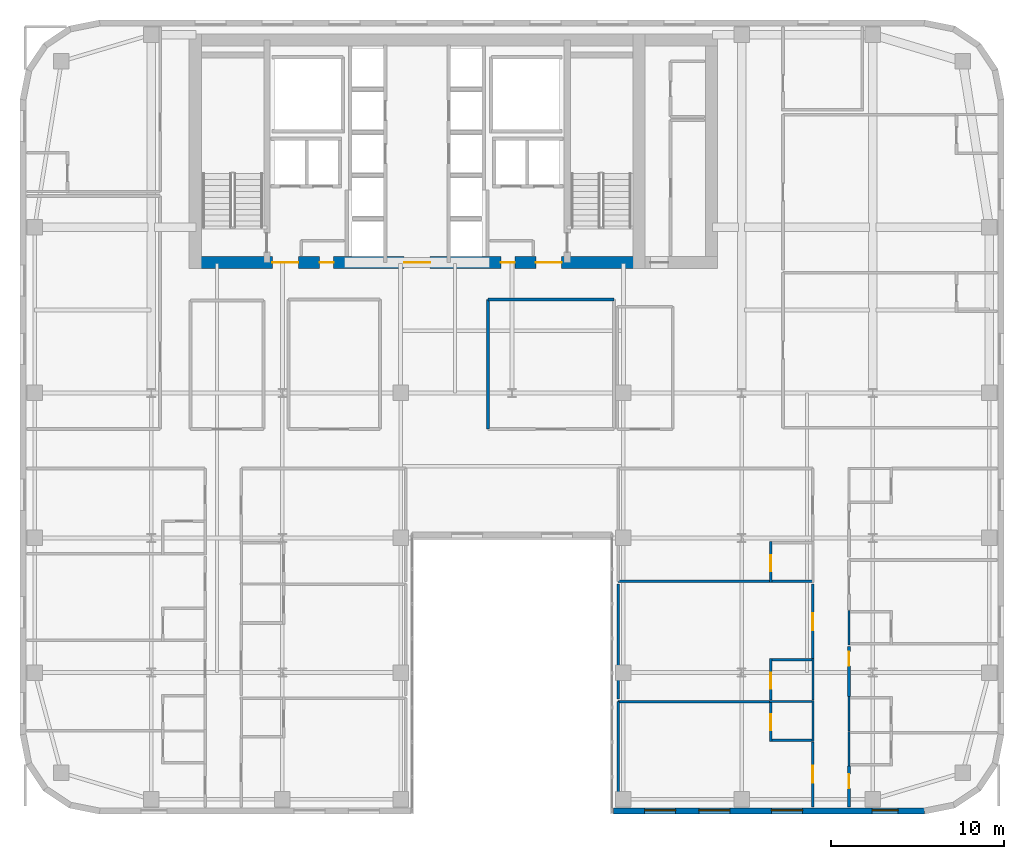
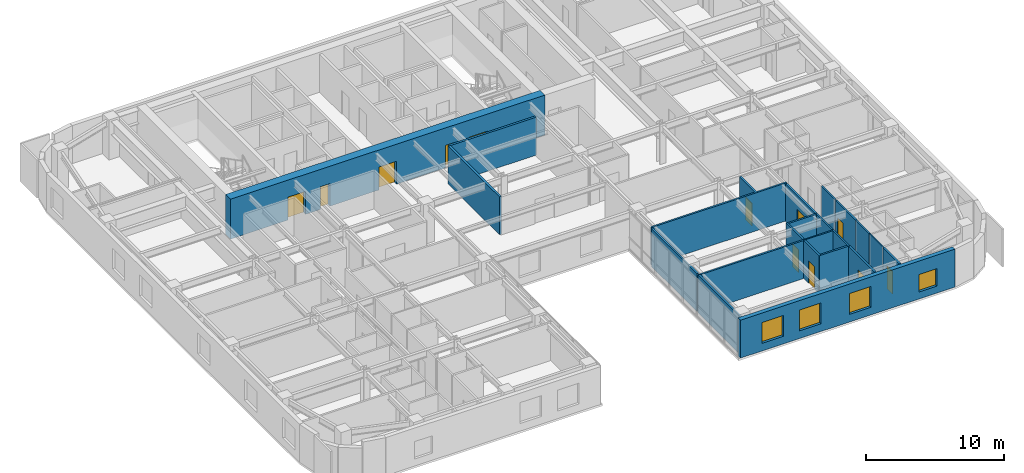
# One storey, part 12 of 17: 23 walls, 12 doors, 4 windows, 16 openings.
"""IFC4 building model written with IfcOpenShell, lengths in metres."""

import ifcopenshell
import ifcopenshell.guid

model = None  # the IFC model being written
_history = None  # IfcOwnerHistory: only IFC2X3 demands one
_inside = {}  # id of a spatial element -> (the spatial element, [elements in it])
_under = {}  # id of a project, library or spatial element -> (it, [spatial elements below it])
_declared = {}  # id of a project -> (the project, [libraries it declares])
_typed = {}  # id of a type object -> (the type object, [elements of that type])
_made_of = {}  # id of a material, layer set ... -> (it, [elements and type objects made of it])


def new_model(schema):
    """Start an empty IFC model of exactly this schema.

    Asked for "IFC4X3", IfcOpenShell would pick the latest addendum, in which some entities
    have other attributes; the version numbers below select the first issue.
    IFC2X3 requires an IfcOwnerHistory on every rooted entity: one is made here for all.
    """
    global model, _history
    if schema == "IFC4X3":
        model = ifcopenshell.file(schema_version=(4, 3, 0, 0))
    else:
        model = ifcopenshell.file(schema=schema)
    _inside.clear()
    _under.clear()
    _declared.clear()
    _typed.clear()
    _made_of.clear()
    _history = None
    if model.schema == "IFC2X3":
        org = make("IfcOrganization", Name="unknown")
        user = make(
            "IfcPersonAndOrganization",
            ThePerson=make("IfcPerson", FamilyName="unknown"),
            TheOrganization=org,
        )
        app = make(
            "IfcApplication",
            ApplicationDeveloper=org,
            Version="unknown",
            ApplicationFullName="unknown",
            ApplicationIdentifier="unknown",
        )
        _history = make(
            "IfcOwnerHistory",
            OwningUser=user,
            OwningApplication=app,
            ChangeAction="ADDED",
            CreationDate=0,
        )
    return model


def make(cls, **values):
    """One entity of the class cls with the attributes given. An attribute that is None is left unset."""
    return model.create_entity(
        cls, **{name: value for name, value in values.items() if value is not None}
    )


def rooted(cls, **values):
    """An entity with a GlobalId (a new one), such as an element, a storey or a relation."""
    return make(cls, GlobalId=ifcopenshell.guid.new(), OwnerHistory=_history, **values)


def si_unit(unit_type, name, prefix=None):
    """IfcSIUnit, for example si_unit("LENGTHUNIT", "METRE", prefix="MILLI")."""
    return make("IfcSIUnit", UnitType=unit_type, Prefix=prefix, Name=name)


def assignment(units):
    """IfcUnitAssignment: the units of a project."""
    return None if units is None else make("IfcUnitAssignment", Units=units)


def point(xyz):
    """IfcCartesianPoint."""
    return None if xyz is None else make("IfcCartesianPoint", Coordinates=xyz)


def direction(xyz):
    """IfcDirection."""
    return None if xyz is None else make("IfcDirection", DirectionRatios=xyz)


def frame(location, z_axis=None, x_axis=None):
    """IfcAxis2Placement3D, a coordinate frame: its origin and axes. An axis left out is left unset."""
    return make(
        "IfcAxis2Placement3D",
        Location=point(location),
        Axis=direction(z_axis),
        RefDirection=direction(x_axis),
    )


def frame_2d(location, x_axis=None):
    """IfcAxis2Placement2D, a coordinate frame in the plane: its origin and x axis."""
    return make(
        "IfcAxis2Placement2D", Location=point(location), RefDirection=direction(x_axis)
    )


def origin():
    """The frame at (0, 0, 0) with its axes left unset."""
    return frame((0.0, 0.0, 0.0))


def place(relative_to, where):
    """IfcLocalPlacement: puts the frame where relative to a parent placement (None: the world)."""
    return make(
        "IfcLocalPlacement", PlacementRelTo=relative_to, RelativePlacement=where
    )


def context(
    kind, dimensions, precision=None, world=None, true_north=None, identifier=None
):
    """IfcGeometricRepresentationContext, for example the 3D "Model" context."""
    return make(
        "IfcGeometricRepresentationContext",
        ContextIdentifier=identifier,
        ContextType=kind,
        CoordinateSpaceDimension=dimensions,
        Precision=precision,
        WorldCoordinateSystem=world,
        TrueNorth=true_north,
    )


def subcontext(parent, identifier, kind, view, scale=None):
    """IfcGeometricRepresentationSubContext, for example "Body" below "Model"."""
    return make(
        "IfcGeometricRepresentationSubContext",
        ContextIdentifier=identifier,
        ContextType=kind,
        ParentContext=parent,
        TargetScale=scale,
        TargetView=view,
    )


def project(units=None, contexts=None):
    """IfcProject with its units and contexts."""
    return rooted(
        "IfcProject",
        Name="project",
        RepresentationContexts=contexts,
        UnitsInContext=assignment(units),
    )


def spatial(cls, under=None, at=None, **own):
    """A site, building, storey or space (cls), placed at a placement, below another one or the project."""
    s = rooted(cls, ObjectPlacement=at, **own)
    if under is not None:
        _under.setdefault(under.id(), (under, []))[1].append(s)
    return s


def profile(cls, at=None, kind="AREA", **sizes):
    """A parametric profile (cls). Its sizes go by their IFC names, for example OverallWidth=200.0."""
    return make(cls, ProfileType=kind, Position=at, **sizes)


def rectangle(**sizes):
    """IfcRectangleProfileDef."""
    return profile("IfcRectangleProfileDef", **sizes)


def extrude(swept, where, along, depth):
    """IfcExtrudedAreaSolid: the profile swept, set in the frame where, extruded along a direction by depth."""
    return make(
        "IfcExtrudedAreaSolid",
        SweptArea=swept,
        Position=where,
        ExtrudedDirection=direction(along),
        Depth=depth,
    )


def shape(context_of_items, identifier, shape_type, items):
    """IfcShapeRepresentation: the items that make up one representation, for example the "Body"."""
    return make(
        "IfcShapeRepresentation",
        ContextOfItems=context_of_items,
        RepresentationIdentifier=identifier,
        RepresentationType=shape_type,
        Items=items,
    )


def source(mapping_origin, context_of_items, identifier, shape_type, items):
    """IfcRepresentationMap: a shape defined once, which mapped items show again and again."""
    return make(
        "IfcRepresentationMap",
        MappingOrigin=mapping_origin,
        MappedRepresentation=shape(context_of_items, identifier, shape_type, items),
    )


def transform(
    local_origin,
    x_axis=None,
    y_axis=None,
    z_axis=None,
    scale=None,
    scale2=None,
    scale3=None,
    uniform=True,
):
    """IfcCartesianTransformationOperator3D, or its non-uniform kind. x_axis, y_axis, z_axis: its Axis1, 2, 3."""
    if uniform:
        return make(
            "IfcCartesianTransformationOperator3D",
            Axis1=direction(x_axis),
            Axis2=direction(y_axis),
            LocalOrigin=point(local_origin),
            Scale=scale,
            Axis3=direction(z_axis),
        )
    return make(
        "IfcCartesianTransformationOperator3DnonUniform",
        Axis1=direction(x_axis),
        Axis2=direction(y_axis),
        LocalOrigin=point(local_origin),
        Scale=scale,
        Axis3=direction(z_axis),
        Scale2=scale2,
        Scale3=scale3,
    )


def mapped(mapping_source, mapping_target):
    """IfcMappedItem: shows the shape of a source again, moved by a transform."""
    return make(
        "IfcMappedItem", MappingSource=mapping_source, MappingTarget=mapping_target
    )


def material(Name=None, Category=None):
    """IfcMaterial."""
    return make("IfcMaterial", Name=Name, Category=Category)


def layer(
    of_material, thickness, ventilated=None, Name=None, Category=None, Priority=None
):
    """IfcMaterialLayer: one layer of a wall or slab, of a material (None: an air gap)."""
    return make(
        "IfcMaterialLayer",
        Material=of_material,
        LayerThickness=thickness,
        IsVentilated=ventilated,
        Name=Name,
        Category=Category,
        Priority=Priority,
    )


def layer_set(layers, Name=None):
    """IfcMaterialLayerSet."""
    return make("IfcMaterialLayerSet", MaterialLayers=layers, LayerSetName=Name)


def made_of(thing, what):
    """Note that an element or type object is made of a material, layer set ...; save() writes the relation."""
    if what is not None:
        _made_of.setdefault(what.id(), (what, []))[1].append(thing)
    return thing


def type_object(cls, material=None, **own):
    """A type object (cls), such as IfcWallType, which elements share."""
    return made_of(rooted(cls, **own), material)


def type_shapes(of_type, sources):
    """Give a type object the sources (RepresentationMaps) that its elements show as mapped items."""
    of_type.RepresentationMaps = sources


def element(
    cls,
    number,
    at=None,
    inside=None,
    cuts=None,
    type_object=None,
    material=None,
    context=None,
    identifier="Body",
    shape_type=None,
    held_by="IfcProductDefinitionShape",
    body=None,
    shapes=None,
    **own,
):
    """One element of the class cls, such as IfcWall. Its Tag is "e" and its number.

    at: its placement. inside: the storey or other place that contains it. cuts: it is an
    opening in that element (IfcRelVoidsElement). A single representation is given by context,
    identifier, shape_type and body (its items); several are given by shapes. held_by: the class
    of the entity that holds the representations. save() writes the other relations.
    """
    e = rooted(cls, Tag="e%d" % number, ObjectPlacement=at, **own)
    if body is not None:
        shapes = [shape(context, identifier, shape_type, body)]
    if shapes is not None:
        e.Representation = make(held_by, Representations=shapes)
    if inside is not None:
        _inside.setdefault(inside.id(), (inside, []))[1].append(e)
    if cuts is not None:
        rooted(
            "IfcRelVoidsElement", RelatingBuildingElement=cuts, RelatedOpeningElement=e
        )
    if type_object is not None:
        _typed.setdefault(type_object.id(), (type_object, []))[1].append(e)
    return made_of(e, material)


def fill(opening, filler):
    """IfcRelFillsElement: the door or window that sits in an opening."""
    return rooted(
        "IfcRelFillsElement",
        RelatingOpeningElement=opening,
        RelatedBuildingElement=filler,
    )


def aggregate(whole, parts):
    """IfcRelAggregates: a whole, such as a stair, and the parts it consists of."""
    return rooted("IfcRelAggregates", RelatingObject=whole, RelatedObjects=parts)


def save(model, path):
    """Write the relations noted so far, then the file.

    IfcRelAggregates (storeys below a building ...), IfcRelContainedInSpatialStructure (elements
    in a storey), IfcRelDefinesByType, IfcRelAssociatesMaterial and IfcRelDeclares: one each for
    every whole, place, type object, material and project.
    """
    for whole, parts in _under.values():
        aggregate(whole, parts)
    for where, things in _inside.values():
        rooted(
            "IfcRelContainedInSpatialStructure",
            RelatedElements=things,
            RelatingStructure=where,
        )
    for kind, things in _typed.values():
        rooted("IfcRelDefinesByType", RelatedObjects=things, RelatingType=kind)
    for what, things in _made_of.values():
        rooted("IfcRelAssociatesMaterial", RelatedObjects=things, RelatingMaterial=what)
    for by, libraries in _declared.values():
        rooted("IfcRelDeclares", RelatingContext=by, RelatedDefinitions=libraries)
    model.write(path)


model = new_model("IFC4")

# Units and contexts
model_context = context("Model", 3, precision=1e-05, world=origin(), true_north=direction((0.0, 1.0)))
body_context = subcontext(model_context, "Body", "Model", "MODEL_VIEW")
ifc_project = project(units=[si_unit("LENGTHUNIT", "METRE"), si_unit("AREAUNIT", "SQUARE_METRE"), si_unit("VOLUMEUNIT", "CUBIC_METRE"), si_unit("PLANEANGLEUNIT", "RADIAN"), si_unit("MASSUNIT", "GRAM", prefix="KILO")], contexts=[model_context])

# Site, building, storey
site_placement = place(None, origin())
site = spatial("IfcSite", under=ifc_project, at=site_placement, CompositionType="ELEMENT")
building_placement = place(site_placement, origin())
building = spatial("IfcBuilding", under=site, at=building_placement, Name="Tolvann Quenvar Hotel", CompositionType="ELEMENT")
storey_placement = place(building_placement, frame((0.0, 0.0, 136.39990234375)))
storey = spatial("IfcBuildingStorey", under=building, at=storey_placement, Name="L35", CompositionType="ELEMENT", Elevation=136.39990234375)

# Wall, openings, doors
ifc_material_1 = material(Name="Concrete S65 (65 MPa)", Category="concrete")
ifc_layer_1 = layer(ifc_material_1, 0.699951171875)
ifc_layer_set_1 = layer_set([ifc_layer_1], Name="Concrete S65 (65 MPa)")
wall_type_1 = type_object("IfcWallType", Name="WALL_CORE_700", PredefinedType="SHEAR", material=ifc_layer_set_1)
wall_1_placement = place(storey_placement, frame((9.800048828125, 31.949951171875, 0.0), z_axis=(0.0, 0.0, 1.0), x_axis=(1.0, 0.0, 0.0)))
wall_1 = element("IfcWall", 1, at=wall_1_placement, inside=storey, type_object=wall_type_1, Name="Rear Core S Shear Wall (L35)", PredefinedType="SHEAR", context=body_context, shape_type="SweptSolid", body=[
    extrude(rectangle(XDim=26.39990234375, YDim=0.699951171875, at=frame_2d((13.199951171875, 0.0))), origin(), (0.0, 0.0, 1.0), 3.550048828125),
])
opening_1_placement = place(wall_1_placement, frame((6.320068359375, 0.0, 0.0), z_axis=(0.0, 0.0, 1.0), x_axis=(-1.0, 0.0, 0.0)))
opening_1 = element("IfcOpeningElement", 2, at=opening_1_placement, cuts=wall_1, Name="Opening FD-60D", PredefinedType="OPENING", context=body_context, shape_type="SweptSolid", body=[
    extrude(rectangle(XDim=1.5, YDim=2.0400390625, at=frame_2d((0.75, 1.02001953125))), frame((0.0, 0.35986328125, 0.0), z_axis=(0.0, -1.0, 0.0), x_axis=(1.0, 0.0, 0.0)), (0.0, 0.0, 1.0), 0.719970703125),
])
opening_2_placement = place(wall_1_placement, frame((13.949951171875, 0.0, 0.0), z_axis=(0.0, 0.0, 1.0), x_axis=(-1.0, 0.0, 0.0)))
opening_2 = element("IfcOpeningElement", 3, at=opening_2_placement, cuts=wall_1, Name="Opening FD-60D", PredefinedType="OPENING", context=body_context, shape_type="SweptSolid", body=[
    extrude(rectangle(XDim=1.5, YDim=2.0400390625, at=frame_2d((0.75, 1.02001953125))), frame((0.0, 0.35986328125, 0.0), z_axis=(0.0, -1.0, 0.0), x_axis=(1.0, 0.0, 0.0)), (0.0, 0.0, 1.0), 0.719970703125),
])
opening_3_placement = place(wall_1_placement, frame((21.580078125, 0.0, 0.0), z_axis=(0.0, 0.0, 1.0), x_axis=(-1.0, 0.0, 0.0)))
opening_3 = element("IfcOpeningElement", 4, at=opening_3_placement, cuts=wall_1, Name="Opening FD-60D", PredefinedType="OPENING", context=body_context, shape_type="SweptSolid", body=[
    extrude(rectangle(XDim=1.5, YDim=2.0400390625, at=frame_2d((0.75, 1.02001953125))), frame((0.0, 0.35986328125, 0.0), z_axis=(0.0, -1.0, 0.0), x_axis=(1.0, 0.0, 0.0)), (0.0, 0.0, 1.0), 0.719970703125),
])
opening_4_placement = place(wall_1_placement, frame((8.3701171875, 0.0, 0.0), z_axis=(0.0, 0.0, 1.0), x_axis=(-1.0, 0.0, 0.0)))
opening_4 = element("IfcOpeningElement", 5, at=opening_4_placement, cuts=wall_1, Name="Opening HD-02", PredefinedType="OPENING", context=body_context, shape_type="SweptSolid", body=[
    extrude(rectangle(XDim=0.820068359375, YDim=2.010009765625, at=frame_2d((0.41015625, 1.0048828125))), frame((0.0, 0.35986328125, 0.0), z_axis=(0.0, -1.0, 0.0), x_axis=(1.0, 0.0, 0.0)), (0.0, 0.0, 1.0), 0.719970703125),
])
opening_5_placement = place(wall_1_placement, frame((18.8701171875, 0.0, 0.0), z_axis=(0.0, 0.0, 1.0), x_axis=(-1.0, 0.0, 0.0)))
opening_5 = element("IfcOpeningElement", 6, at=opening_5_placement, cuts=wall_1, Name="Opening HD-02", PredefinedType="OPENING", context=body_context, shape_type="SweptSolid", body=[
    extrude(rectangle(XDim=0.820068359375, YDim=2.010009765625, at=frame_2d((0.41015625, 1.0048828125))), frame((0.0, 0.35986328125, 0.0), z_axis=(0.0, -1.0, 0.0), x_axis=(1.0, 0.0, 0.0)), (0.0, 0.0, 1.0), 0.719970703125),
])
ifc_material_2 = material(Name="Solid-core American oak acoustic fire door leaf in steel frame", Category="steel")
door_type_1 = type_object("IfcDoorType", Name="DOOR_FIRE_LOBBY_1500", OperationType="NOTDEFINED", PredefinedType="DOOR", material=ifc_material_2)
shared_shape_1 = source(origin(), body_context, "Body", "SweptSolid", [
    extrude(rectangle(XDim=1.5, YDim=2.0400390625, at=frame_2d((0.75, 1.02001953125))), frame((0.0, 0.02490234375, 0.0), z_axis=(0.0, -1.0, 0.0), x_axis=(1.0, 0.0, 0.0)), (0.0, 0.0, 1.0), 0.050048828125),
])
type_shapes(door_type_1, [shared_shape_1])
door_1_placement = place(opening_1_placement, origin())
door_1 = element("IfcDoor", 7, at=door_1_placement, inside=storey, type_object=door_type_1, Name="Core Lobby Fire Door FFW (L35)", OperationType="DOUBLE_DOOR_SINGLE_SWING", OverallHeight=2.0400390625, OverallWidth=1.5, PredefinedType="DOOR", context=body_context, shape_type="MappedRepresentation", body=[
    mapped(shared_shape_1, transform((0.0, 0.0, 0.0), x_axis=(1.0, 0.0, 0.0), y_axis=(0.0, 1.0, 0.0), z_axis=(0.0, 0.0, 1.0), scale=1.0)),
])
fill(opening_1, door_1)
door_2_placement = place(opening_2_placement, origin())
door_2 = element("IfcDoor", 8, at=door_2_placement, inside=storey, type_object=door_type_1, Name="Core Lobby Fire Door CLOB (L35)", OperationType="DOUBLE_DOOR_SINGLE_SWING", OverallHeight=2.0400390625, OverallWidth=1.5, PredefinedType="DOOR", context=body_context, shape_type="MappedRepresentation", body=[
    mapped(shared_shape_1, transform((0.0, 0.0, 0.0), x_axis=(1.0, 0.0, 0.0), y_axis=(0.0, 1.0, 0.0), z_axis=(0.0, 0.0, 1.0), scale=1.0)),
])
fill(opening_2, door_2)
door_3_placement = place(opening_3_placement, origin())
door_3 = element("IfcDoor", 9, at=door_3_placement, inside=storey, type_object=door_type_1, Name="Core Lobby Fire Door FFE (L35)", OperationType="DOUBLE_DOOR_SINGLE_SWING", OverallHeight=2.0400390625, OverallWidth=1.5, PredefinedType="DOOR", context=body_context, shape_type="MappedRepresentation", body=[
    mapped(shared_shape_1, transform((0.0, 0.0, 0.0), x_axis=(1.0, 0.0, 0.0), y_axis=(0.0, 1.0, 0.0), z_axis=(0.0, 0.0, 1.0), scale=1.0)),
])
fill(opening_3, door_3)
ifc_material_3 = material(Name="Pressed galvanised steel fire-rated door set", Category="steel")
door_type_2 = type_object("IfcDoorType", Name="DOOR_STORE_820", OperationType="NOTDEFINED", PredefinedType="DOOR", material=ifc_material_3)
shared_shape_2 = source(origin(), body_context, "Body", "SweptSolid", [
    extrude(rectangle(XDim=0.820068359375, YDim=2.010009765625, at=frame_2d((0.41015625, 1.0048828125))), frame((0.0, 0.02490234375, 0.0), z_axis=(0.0, -1.0, 0.0), x_axis=(1.0, 0.0, 0.0)), (0.0, 0.0, 1.0), 0.050048828125),
])
type_shapes(door_type_2, [shared_shape_2])
door_4_placement = place(opening_4_placement, origin())
door_4 = element("IfcDoor", 10, at=door_4_placement, inside=storey, type_object=door_type_2, Name="Core Linen Store Fire Door (L35)", OperationType="SINGLE_SWING_LEFT", OverallHeight=2.010009765625, OverallWidth=0.820068359375, PredefinedType="DOOR", context=body_context, shape_type="MappedRepresentation", body=[
    mapped(shared_shape_2, transform((0.0, 0.0, 0.0), x_axis=(1.0, 0.0, 0.0), y_axis=(0.0, 1.0, 0.0), z_axis=(0.0, 0.0, 1.0), scale=1.0)),
])
fill(opening_4, door_4)
door_5_placement = place(opening_5_placement, origin())
door_5 = element("IfcDoor", 11, at=door_5_placement, inside=storey, type_object=door_type_2, Name="Core Comms Closet Fire Door (L35)", OperationType="SINGLE_SWING_RIGHT", OverallHeight=2.010009765625, OverallWidth=0.820068359375, PredefinedType="DOOR", context=body_context, shape_type="MappedRepresentation", body=[
    mapped(shared_shape_2, transform((0.0, 0.0, 0.0), x_axis=(1.0, 0.0, 0.0), y_axis=(0.0, 1.0, 0.0), z_axis=(0.0, 0.0, 1.0), scale=1.0)),
])
fill(opening_5, door_5)

# Wall, openings, windows
ifc_material_4 = material(Name="Kiln-fired red and buff architectural clay brickwork and terracotta masonry", Category="masonry")
ifc_layer_2 = layer(ifc_material_4, 0.35009765625)
ifc_layer_set_2 = layer_set([ifc_layer_2], Name="Kiln-fired red and buff architectural clay brickwork and terracotta masonry")
wall_type_2 = type_object("IfcWallType", Name="WALL_EXT_BRICK_350", PredefinedType="SOLIDWALL", material=ifc_layer_set_2)
wall_2_placement = place(storey_placement, frame((34.375, 0.175048828125, 0.0), z_axis=(0.0, 0.0, 1.0), x_axis=(1.0, 0.0, 0.0)))
wall_2 = element("IfcWall", 12, at=wall_2_placement, inside=storey, type_object=wall_type_2, Name="Exterior Chicago Brick Wall L35-E08", PredefinedType="SOLIDWALL", context=body_context, shape_type="SweptSolid", body=[
    extrude(rectangle(XDim=18.0078125, YDim=0.35009765625, at=frame_2d((9.00390625, 0.0))), origin(), (0.0, 0.0, 1.0), 3.3701171875),
])
opening_6_placement = place(wall_2_placement, frame((1.801025390625, 0.0, 0.679931640625)))
opening_6 = element("IfcOpeningElement", 13, at=opening_6_placement, cuts=wall_2, Name="Opening W-03", PredefinedType="OPENING", context=body_context, shape_type="SweptSolid", body=[
    extrude(rectangle(XDim=1.800048828125, YDim=1.85009765625, at=frame_2d((0.89990234375, 0.925048828125))), frame((0.0, 0.18505859375, 0.0), z_axis=(0.0, -1.0, 0.0), x_axis=(1.0, 0.0, 0.0)), (0.0, 0.0, 1.0), 0.3701171875),
])
opening_7_placement = place(wall_2_placement, frame((4.952880859375, 0.0, 0.679931640625)))
opening_7 = element("IfcOpeningElement", 14, at=opening_7_placement, cuts=wall_2, Name="Opening W-03", PredefinedType="OPENING", context=body_context, shape_type="SweptSolid", body=[
    extrude(rectangle(XDim=1.800048828125, YDim=1.85009765625, at=frame_2d((0.89990234375, 0.925048828125))), frame((0.0, 0.18505859375, 0.0), z_axis=(0.0, -1.0, 0.0), x_axis=(1.0, 0.0, 0.0)), (0.0, 0.0, 1.0), 0.3701171875),
])
opening_8_placement = place(wall_2_placement, frame((9.155029296875, 0.0, 0.679931640625)))
opening_8 = element("IfcOpeningElement", 15, at=opening_8_placement, cuts=wall_2, Name="Opening W-03", PredefinedType="OPENING", context=body_context, shape_type="SweptSolid", body=[
    extrude(rectangle(XDim=1.800048828125, YDim=1.85009765625, at=frame_2d((0.89990234375, 0.925048828125))), frame((0.0, 0.18505859375, 0.0), z_axis=(0.0, -1.0, 0.0), x_axis=(1.0, 0.0, 0.0)), (0.0, 0.0, 1.0), 0.3701171875),
])
opening_9_placement = place(wall_2_placement, frame((14.990966796875, 0.0, 0.6201171875)))
opening_9 = element("IfcOpeningElement", 16, at=opening_9_placement, cuts=wall_2, Name="Opening W-08", PredefinedType="OPENING", context=body_context, shape_type="SweptSolid", body=[
    extrude(rectangle(XDim=1.5, YDim=1.550048828125, at=frame_2d((0.75, 0.77490234375))), frame((0.0, 0.18505859375, 0.0), z_axis=(0.0, -1.0, 0.0), x_axis=(1.0, 0.0, 0.0)), (0.0, 0.0, 1.0), 0.3701171875),
])
ifc_material_5 = material(Name="Thermally broken bronze-anodised aluminium frame with double low-E glazing", Category="aluminium")
window_type_1 = type_object("IfcWindowType", Name="WIN_COR_1500x2050", PartitioningType="SINGLE_PANEL", PredefinedType="WINDOW", material=ifc_material_5)
shared_shape_3 = source(origin(), body_context, "Body", "SweptSolid", [
    extrude(rectangle(XDim=1.5, YDim=1.550048828125, at=frame_2d((0.75, 0.77490234375))), frame((0.0, 0.090087890625, 0.0), z_axis=(0.0, -1.0, 0.0), x_axis=(1.0, 0.0, 0.0)), (0.0, 0.0, 1.0), 0.06005859375),
])
type_shapes(window_type_1, [shared_shape_3])
window_1_placement = place(opening_9_placement, origin())
window_1 = element("IfcWindow", 17, at=window_1_placement, inside=storey, type_object=window_type_1, Name="Chicago Window W-08 (EW-L35-E08-WD04)", OverallHeight=1.550048828125, OverallWidth=1.5, PartitioningType="SINGLE_PANEL", PredefinedType="WINDOW", context=body_context, shape_type="MappedRepresentation", body=[
    mapped(shared_shape_3, transform((0.0, 0.0, 0.0), x_axis=(1.0, 0.0, 0.0), y_axis=(0.0, 1.0, 0.0), z_axis=(0.0, 0.0, 1.0), scale=1.0)),
])
fill(opening_9, window_1)
window_type_2 = type_object("IfcWindowType", Name="WIN_CHI_1800x2050", PartitioningType="TRIPLE_PANEL_HORIZONTAL", PredefinedType="WINDOW", material=ifc_material_5)
shared_shape_4 = source(origin(), body_context, "Body", "SweptSolid", [
    extrude(rectangle(XDim=1.800048828125, YDim=1.85009765625, at=frame_2d((0.89990234375, 0.925048828125))), frame((0.0, 0.090087890625, 0.0), z_axis=(0.0, -1.0, 0.0), x_axis=(1.0, 0.0, 0.0)), (0.0, 0.0, 1.0), 0.06005859375),
])
type_shapes(window_type_2, [shared_shape_4])
window_2_placement = place(opening_6_placement, origin())
window_2 = element("IfcWindow", 18, at=window_2_placement, inside=storey, type_object=window_type_2, Name="Chicago Window W-03 (EW-L35-E08-W01)", OverallHeight=1.85009765625, OverallWidth=1.800048828125, PartitioningType="TRIPLE_PANEL_HORIZONTAL", PredefinedType="WINDOW", context=body_context, shape_type="MappedRepresentation", body=[
    mapped(shared_shape_4, transform((0.0, 0.0, 0.0), x_axis=(1.0, 0.0, 0.0), y_axis=(0.0, 1.0, 0.0), z_axis=(0.0, 0.0, 1.0), scale=1.0)),
])
fill(opening_6, window_2)
window_3_placement = place(opening_7_placement, origin())
window_3 = element("IfcWindow", 19, at=window_3_placement, inside=storey, type_object=window_type_2, Name="Chicago Window W-03 (EW-L35-E08-W02)", OverallHeight=1.85009765625, OverallWidth=1.800048828125, PartitioningType="TRIPLE_PANEL_HORIZONTAL", PredefinedType="WINDOW", context=body_context, shape_type="MappedRepresentation", body=[
    mapped(shared_shape_4, transform((0.0, 0.0, 0.0), x_axis=(1.0, 0.0, 0.0), y_axis=(0.0, 1.0, 0.0), z_axis=(0.0, 0.0, 1.0), scale=1.0)),
])
fill(opening_7, window_3)
window_4_placement = place(opening_8_placement, origin())
window_4 = element("IfcWindow", 20, at=window_4_placement, inside=storey, type_object=window_type_2, Name="Chicago Window W-03 (EW-L35-E08-W03)", OverallHeight=1.85009765625, OverallWidth=1.800048828125, PartitioningType="TRIPLE_PANEL_HORIZONTAL", PredefinedType="WINDOW", context=body_context, shape_type="MappedRepresentation", body=[
    mapped(shared_shape_4, transform((0.0, 0.0, 0.0), x_axis=(1.0, 0.0, 0.0), y_axis=(0.0, 1.0, 0.0), z_axis=(0.0, 0.0, 1.0), scale=1.0)),
])
fill(opening_8, window_4)

# Walls
ifc_material_6 = material(Name="Acoustic twin-stud fire-rated gypsum plasterboard partition")
ifc_layer_3 = layer(ifc_material_6, 0.179931640625)
ifc_layer_set_3 = layer_set([ifc_layer_3], Name="Acoustic twin-stud fire-rated gypsum plasterboard partition")
wall_type_3 = type_object("IfcWallType", Name="WALL_PART_ACOUSTIC_180", PredefinedType="PARTITIONING", material=ifc_layer_set_3)
wall_3_placement = place(storey_placement, frame((27.10009765625, 29.800048828125, 0.0), z_axis=(0.0, 0.0, 1.0), x_axis=(1.0, 0.0, 0.0)))
element("IfcWall", 21, at=wall_3_placement, inside=storey, type_object=wall_type_3, Name="Interior Partition PT-SPC-L35-MSP-C-N", PredefinedType="PARTITIONING", context=body_context, shape_type="SweptSolid", body=[
    extrude(rectangle(XDim=7.2998046875, YDim=0.179931640625, at=frame_2d((3.64990234375, 0.0))), origin(), (0.0, 0.0, 1.0), 3.3701171875),
])
wall_4_placement = place(storey_placement, frame((27.10009765625, 22.300048828125, 0.0), z_axis=(0.0, 0.0, 1.0), x_axis=(0.0, 1.0, 0.0)))
element("IfcWall", 22, at=wall_4_placement, inside=storey, type_object=wall_type_3, Name="Interior Partition PT-SPC-L35-MSP-C-W", PredefinedType="PARTITIONING", context=body_context, shape_type="SweptSolid", body=[
    extrude(rectangle(XDim=7.5, YDim=0.179931640625, at=frame_2d((3.75, 0.0))), origin(), (0.0, 0.0, 1.0), 3.3701171875),
])
ifc_material_7 = material(Name="Moisture-resistant acoustic plumbing wall assembly")
ifc_layer_4 = layer(ifc_material_7, 0.1201171875)
ifc_layer_set_4 = layer_set([ifc_layer_4], Name="Moisture-resistant acoustic plumbing wall assembly")
wall_type_4 = type_object("IfcWallType", Name="WALL_PART_BATH_120", PredefinedType="PLUMBINGWALL", material=ifc_layer_set_4)
wall_5_placement = place(storey_placement, frame((43.409912109375, 6.52001953125, 0.0), z_axis=(0.0, 0.0, 1.0), x_axis=(1.0, 0.0, 0.0)))
element("IfcWall", 23, at=wall_5_placement, inside=storey, type_object=wall_type_4, Name="Non-Rated Plumbing Partition PT-SPC-L35-ENS-EI01-N", PredefinedType="PLUMBINGWALL", context=body_context, shape_type="SweptSolid", body=[
    extrude(rectangle(XDim=2.590087890625, YDim=0.1201171875, at=frame_2d((1.294921875, 0.0))), origin(), (0.0, 0.0, 1.0), 3.3701171875),
])
wall_6_placement = place(storey_placement, frame((45.929931640625, 4.199951171875, 0.0), z_axis=(0.0, 0.0, 1.0), x_axis=(0.0, 1.0, 0.0)))
element("IfcWall", 24, at=wall_6_placement, inside=storey, type_object=wall_type_4, Name="Non-Rated Plumbing Partition PT-SPC-L35-ENS-EI01-E", PredefinedType="PLUMBINGWALL", context=body_context, shape_type="SweptSolid", body=[
    extrude(rectangle(XDim=2.39013671875, YDim=0.1201171875, at=frame_2d((1.195068359375, 0.0))), origin(), (0.0, 0.0, 1.0), 3.3701171875),
])
wall_7_placement = place(storey_placement, frame((45.929931640625, 6.610107421875, 0.0), z_axis=(0.0, 0.0, 1.0), x_axis=(0.0, 1.0, 0.0)))
element("IfcWall", 25, at=wall_7_placement, inside=storey, type_object=wall_type_4, Name="Non-Rated Plumbing Partition PT-SPC-L35-ENS-EI02-E", PredefinedType="PLUMBINGWALL", context=body_context, shape_type="SweptSolid", body=[
    extrude(rectangle(XDim=2.389892578125, YDim=0.1201171875, at=frame_2d((1.19482421875, 0.0))), origin(), (0.0, 0.0, 1.0), 3.3701171875),
])
for number, where, z_axis, x_axis, name in (
    (26, (48.02001953125, 2.800048828125, 0.0), (0.0, 0.0, 1.0), (0.0, 1.0, 0.0), "Non-Rated Plumbing Partition PT-SPC-L35-ENS-EO01-W"),
    (27, (48.02001953125, 4.81005859375, 0.0), (0.0, 0.0, 1.0), (0.0, 1.0, 0.0), "Non-Rated Plumbing Partition PT-SPC-L35-ENS-EO02-W"),
    (28, (48.02001953125, 9.81005859375, 0.0), (0.0, 0.0, 1.0), (0.0, 1.0, 0.0), "Non-Rated Plumbing Partition PT-SPC-L35-ENS-EO03-W"),
):
    element("IfcWall", number, at=place(storey_placement, frame(where, z_axis=z_axis, x_axis=x_axis)), inside=storey, type_object=wall_type_4, Name=name, PredefinedType="PLUMBINGWALL", context=body_context, shape_type="SweptSolid", body=[
        extrude(rectangle(XDim=1.989990234375, YDim=0.1201171875, at=frame_2d((0.9951171875, 0.0))), origin(), (0.0, 0.0, 1.0), 3.3701171875),
    ])

# Wall, opening, door
ifc_layer_5 = layer(ifc_material_6, 0.14990234375)
ifc_layer_set_5 = layer_set([ifc_layer_5], Name="Acoustic twin-stud fire-rated gypsum plasterboard partition")
wall_type_5 = type_object("IfcWallType", Name="WALL_PART_SUITE_150", PredefinedType="PARTITIONING", material=ifc_layer_set_5)
wall_8_placement = place(storey_placement, frame((43.47998046875, 4.199951171875, 0.0), z_axis=(0.0, 0.0, 1.0), x_axis=(0.0, 1.0, 0.0)))
wall_8 = element("IfcWall", 29, at=wall_8_placement, inside=storey, type_object=wall_type_5, Name="Interior Partition PT-SPC-L35-ENS-EI01-ENT", PredefinedType="PARTITIONING", context=body_context, shape_type="SweptSolid", body=[
    extrude(rectangle(XDim=2.39013671875, YDim=0.14990234375, at=frame_2d((1.195068359375, 0.0))), origin(), (0.0, 0.0, 1.0), 3.3701171875),
])
opening_10_placement = place(wall_8_placement, frame((0.6650390625, 0.0, 0.0)))
opening_10 = element("IfcOpeningElement", 30, at=opening_10_placement, cuts=wall_8, Name="Opening WD-01", PredefinedType="OPENING", context=body_context, shape_type="SweptSolid", body=[
    extrude(rectangle(XDim=0.919921875, YDim=2.010009765625, at=frame_2d((0.4599609375, 1.0048828125))), frame((0.0, 0.0849609375, 0.0), z_axis=(0.0, -1.0, 0.0), x_axis=(1.0, 0.0, 0.0)), (0.0, 0.0, 1.0), 0.169921875),
])
door_type_3 = type_object("IfcDoorType", Name="DOOR_WC_920", OperationType="NOTDEFINED", PredefinedType="DOOR", material=ifc_material_2)
shared_shape_5 = source(origin(), body_context, "Body", "SweptSolid", [
    extrude(rectangle(XDim=0.919921875, YDim=2.010009765625, at=frame_2d((0.4599609375, 1.0048828125))), frame((0.0, 0.02490234375, 0.0), z_axis=(0.0, -1.0, 0.0), x_axis=(1.0, 0.0, 0.0)), (0.0, 0.0, 1.0), 0.050048828125),
])
type_shapes(door_type_3, [shared_shape_5])
door_6_placement = place(opening_10_placement, origin())
door_6 = element("IfcDoor", 31, at=door_6_placement, inside=storey, type_object=door_type_3, Name="Interior Door DOOR-SPC-L35-ENS-EI01", OperationType="SINGLE_SWING_RIGHT", OverallHeight=2.010009765625, OverallWidth=0.919921875, PredefinedType="DOOR", context=body_context, shape_type="MappedRepresentation", body=[
    mapped(shared_shape_5, transform((0.0, 0.0, 0.0), x_axis=(1.0, 0.0, 0.0), y_axis=(0.0, 1.0, 0.0), z_axis=(0.0, 0.0, 1.0), scale=1.0)),
])
fill(opening_10, door_6)

# Wall
wall_9_placement = place(storey_placement, frame((43.409912109375, 4.27001953125, 0.0), z_axis=(0.0, 0.0, 1.0), x_axis=(1.0, 0.0, 0.0)))
element("IfcWall", 32, at=wall_9_placement, inside=storey, type_object=wall_type_5, Name="Interior Partition PT-SPC-L35-ENS-EI01-S", PredefinedType="PARTITIONING", context=body_context, shape_type="SweptSolid", body=[
    extrude(rectangle(XDim=2.590087890625, YDim=0.14990234375, at=frame_2d((1.294921875, 0.0))), origin(), (0.0, 0.0, 1.0), 3.3701171875),
])

# Wall, opening, door
wall_10_placement = place(storey_placement, frame((43.47998046875, 6.610107421875, 0.0), z_axis=(0.0, 0.0, 1.0), x_axis=(0.0, 1.0, 0.0)))
wall_10 = element("IfcWall", 33, at=wall_10_placement, inside=storey, type_object=wall_type_5, Name="Interior Partition PT-SPC-L35-ENS-EI02-ENT", PredefinedType="PARTITIONING", context=body_context, shape_type="SweptSolid", body=[
    extrude(rectangle(XDim=2.389892578125, YDim=0.14990234375, at=frame_2d((1.19482421875, 0.0))), origin(), (0.0, 0.0, 1.0), 3.3701171875),
])
opening_11_placement = place(wall_10_placement, frame((0.6650390625, 0.0, 0.0)))
opening_11 = element("IfcOpeningElement", 34, at=opening_11_placement, cuts=wall_10, Name="Opening WD-01", PredefinedType="OPENING", context=body_context, shape_type="SweptSolid", body=[
    extrude(rectangle(XDim=0.919921875, YDim=2.010009765625, at=frame_2d((0.4599609375, 1.0048828125))), frame((0.0, 0.0849609375, 0.0), z_axis=(0.0, -1.0, 0.0), x_axis=(1.0, 0.0, 0.0)), (0.0, 0.0, 1.0), 0.169921875),
])
door_7_placement = place(opening_11_placement, origin())
door_7 = element("IfcDoor", 35, at=door_7_placement, inside=storey, type_object=door_type_3, Name="Interior Door DOOR-SPC-L35-ENS-EI02", OperationType="SINGLE_SWING_LEFT", OverallHeight=2.010009765625, OverallWidth=0.919921875, PredefinedType="DOOR", context=body_context, shape_type="MappedRepresentation", body=[
    mapped(shared_shape_5, transform((0.0, 0.0, 0.0), x_axis=(1.0, 0.0, 0.0), y_axis=(0.0, 1.0, 0.0), z_axis=(0.0, 0.0, 1.0), scale=1.0)),
])
fill(opening_11, door_7)

# Wall
wall_11_placement = place(storey_placement, frame((43.409912109375, 8.929931640625, 0.0), z_axis=(0.0, 0.0, 1.0), x_axis=(1.0, 0.0, 0.0)))
element("IfcWall", 36, at=wall_11_placement, inside=storey, type_object=wall_type_5, Name="Interior Partition PT-SPC-L35-ENS-EI02-N", PredefinedType="PARTITIONING", context=body_context, shape_type="SweptSolid", body=[
    extrude(rectangle(XDim=2.590087890625, YDim=0.14990234375, at=frame_2d((1.294921875, 0.0))), origin(), (0.0, 0.0, 1.0), 3.3701171875),
])

# Wall, opening, door
wall_12_placement = place(storey_placement, frame((43.47998046875, 13.409912109375, 0.0), z_axis=(0.0, 0.0, 1.0), x_axis=(0.0, 1.0, 0.0)))
wall_12 = element("IfcWall", 37, at=wall_12_placement, inside=storey, type_object=wall_type_5, Name="Interior Partition PT-SPC-L35-ENS-EI03-ENT", PredefinedType="PARTITIONING", context=body_context, shape_type="SweptSolid", body=[
    extrude(rectangle(XDim=2.39013671875, YDim=0.14990234375, at=frame_2d((1.195068359375, 0.0))), origin(), (0.0, 0.0, 1.0), 3.3701171875),
])
opening_12_placement = place(wall_12_placement, frame((0.6650390625, 0.0, 0.0)))
opening_12 = element("IfcOpeningElement", 38, at=opening_12_placement, cuts=wall_12, Name="Opening WD-01", PredefinedType="OPENING", context=body_context, shape_type="SweptSolid", body=[
    extrude(rectangle(XDim=0.919921875, YDim=2.010009765625, at=frame_2d((0.4599609375, 1.0048828125))), frame((0.0, 0.0849609375, 0.0), z_axis=(0.0, -1.0, 0.0), x_axis=(1.0, 0.0, 0.0)), (0.0, 0.0, 1.0), 0.169921875),
])
door_8_placement = place(opening_12_placement, origin())
door_8 = element("IfcDoor", 39, at=door_8_placement, inside=storey, type_object=door_type_3, Name="Interior Door DOOR-SPC-L35-ENS-EI03", OperationType="SINGLE_SWING_RIGHT", OverallHeight=2.010009765625, OverallWidth=0.919921875, PredefinedType="DOOR", context=body_context, shape_type="MappedRepresentation", body=[
    mapped(shared_shape_5, transform((0.0, 0.0, 0.0), x_axis=(1.0, 0.0, 0.0), y_axis=(0.0, 1.0, 0.0), z_axis=(0.0, 0.0, 1.0), scale=1.0)),
])
fill(opening_12, door_8)

# Wall
wall_13_placement = place(storey_placement, frame((34.64990234375, 13.47998046875, 0.0), z_axis=(0.0, 0.0, 1.0), x_axis=(1.0, 0.0, 0.0)))
element("IfcWall", 40, at=wall_13_placement, inside=storey, type_object=wall_type_5, Name="Interior Partition PT-SPC-L35-ENS-EI03-S", PredefinedType="PARTITIONING", context=body_context, shape_type="SweptSolid", body=[
    extrude(rectangle(XDim=11.35009765625, YDim=0.14990234375, at=frame_2d((5.675048828125, 0.0))), origin(), (0.0, 0.0, 1.0), 3.3701171875),
])

# Wall, opening, door
wall_14_placement = place(storey_placement, frame((45.929931640625, 0.405029296875, 0.0), z_axis=(0.0, 0.0, 1.0), x_axis=(0.0, 1.0, 0.0)))
wall_14 = element("IfcWall", 41, at=wall_14_placement, inside=storey, type_object=wall_type_5, Name="Interior Partition PT-SPC-L35-RM-EI01-ENT", PredefinedType="PARTITIONING", context=body_context, shape_type="SweptSolid", body=[
    extrude(rectangle(XDim=3.784912109375, YDim=0.14990234375, at=frame_2d((1.892578125, 0.0))), origin(), (0.0, 0.0, 1.0), 3.3701171875),
])
opening_13_placement = place(wall_14_placement, frame((1.409912109375, 0.0, 0.0)))
opening_13 = element("IfcOpeningElement", 42, at=opening_13_placement, cuts=wall_14, Name="Opening SD-01", PredefinedType="OPENING", context=body_context, shape_type="SweptSolid", body=[
    extrude(rectangle(XDim=0.97998046875, YDim=2.1201171875, at=frame_2d((0.489990234375, 1.06005859375))), frame((0.0, 0.0849609375, 0.0), z_axis=(0.0, -1.0, 0.0), x_axis=(1.0, 0.0, 0.0)), (0.0, 0.0, 1.0), 0.169921875),
])
door_type_4 = type_object("IfcDoorType", Name="DOOR_SUITE_980", OperationType="NOTDEFINED", PredefinedType="DOOR", material=ifc_material_2)
shared_shape_6 = source(origin(), body_context, "Body", "SweptSolid", [
    extrude(rectangle(XDim=0.97998046875, YDim=2.1201171875, at=frame_2d((0.489990234375, 1.06005859375))), frame((0.0, 0.02490234375, 0.0), z_axis=(0.0, -1.0, 0.0), x_axis=(1.0, 0.0, 0.0)), (0.0, 0.0, 1.0), 0.050048828125),
])
type_shapes(door_type_4, [shared_shape_6])
door_9_placement = place(opening_13_placement, origin())
door_9 = element("IfcDoor", 43, at=door_9_placement, inside=storey, type_object=door_type_4, Name="Interior Door DOOR-SPC-L35-RM-EI01", OperationType="SINGLE_SWING_LEFT", OverallHeight=2.1201171875, OverallWidth=0.97998046875, PredefinedType="DOOR", context=body_context, shape_type="MappedRepresentation", body=[
    mapped(shared_shape_6, transform((0.0, 0.0, 0.0), x_axis=(1.0, 0.0, 0.0), y_axis=(0.0, 1.0, 0.0), z_axis=(0.0, 0.0, 1.0), scale=1.0)),
])
fill(opening_13, door_9)

# Walls
wall_15_placement = place(storey_placement, frame((34.64990234375, 6.52001953125, 0.0), z_axis=(0.0, 0.0, 1.0), x_axis=(1.0, 0.0, 0.0)))
element("IfcWall", 44, at=wall_15_placement, inside=storey, type_object=wall_type_5, Name="Interior Partition PT-SPC-L35-RM-EI01-E5", PredefinedType="PARTITIONING", context=body_context, shape_type="SweptSolid", body=[
    extrude(rectangle(XDim=8.81005859375, YDim=0.14990234375, at=frame_2d((4.405029296875, 0.0))), origin(), (0.0, 0.0, 1.0), 3.3701171875),
])
wall_16_placement = place(storey_placement, frame((34.64990234375, 0.405029296875, 0.0), z_axis=(0.0, 0.0, 1.0), x_axis=(0.0, 1.0, 0.0)))
element("IfcWall", 45, at=wall_16_placement, inside=storey, type_object=wall_type_5, Name="Interior Partition PT-SPC-L35-RM-EI01-E6", PredefinedType="PARTITIONING", context=body_context, shape_type="SweptSolid", body=[
    extrude(rectangle(XDim=6.114990234375, YDim=0.14990234375, at=frame_2d((3.0576171875, 0.0))), origin(), (0.0, 0.0, 1.0), 3.3701171875),
])

# Wall, opening, door
wall_17_placement = place(storey_placement, frame((45.929931640625, 9.010009765625, 0.0), z_axis=(0.0, 0.0, 1.0), x_axis=(0.0, 1.0, 0.0)))
wall_17 = element("IfcWall", 46, at=wall_17_placement, inside=storey, type_object=wall_type_5, Name="Interior Partition PT-SPC-L35-RM-EI02-ENT", PredefinedType="PARTITIONING", context=body_context, shape_type="SweptSolid", body=[
    extrude(rectangle(XDim=4.31005859375, YDim=0.14990234375, at=frame_2d((2.155029296875, 0.0))), origin(), (0.0, 0.0, 1.0), 3.3701171875),
])
opening_14_placement = place(wall_17_placement, frame((1.64501953125, 0.0, 0.0)))
opening_14 = element("IfcOpeningElement", 47, at=opening_14_placement, cuts=wall_17, Name="Opening SD-01", PredefinedType="OPENING", context=body_context, shape_type="SweptSolid", body=[
    extrude(rectangle(XDim=0.97998046875, YDim=2.1201171875, at=frame_2d((0.489990234375, 1.06005859375))), frame((0.0, 0.0849609375, 0.0), z_axis=(0.0, -1.0, 0.0), x_axis=(1.0, 0.0, 0.0)), (0.0, 0.0, 1.0), 0.169921875),
])
door_10_placement = place(opening_14_placement, origin())
door_10 = element("IfcDoor", 48, at=door_10_placement, inside=storey, type_object=door_type_4, Name="Interior Door DOOR-SPC-L35-RM-EI02", OperationType="SINGLE_SWING_RIGHT", OverallHeight=2.1201171875, OverallWidth=0.97998046875, PredefinedType="DOOR", context=body_context, shape_type="MappedRepresentation", body=[
    mapped(shared_shape_6, transform((0.0, 0.0, 0.0), x_axis=(1.0, 0.0, 0.0), y_axis=(0.0, 1.0, 0.0), z_axis=(0.0, 0.0, 1.0), scale=1.0)),
])
fill(opening_14, door_10)

# Wall
wall_18_placement = place(storey_placement, frame((34.64990234375, 6.679931640625, 0.0), z_axis=(0.0, 0.0, 1.0), x_axis=(0.0, 1.0, 0.0)))
element("IfcWall", 49, at=wall_18_placement, inside=storey, type_object=wall_type_5, Name="Interior Partition PT-SPC-L35-RM-EI02-E6", PredefinedType="PARTITIONING", context=body_context, shape_type="SweptSolid", body=[
    extrude(rectangle(XDim=6.64013671875, YDim=0.14990234375, at=frame_2d((3.320068359375, 0.0))), origin(), (0.0, 0.0, 1.0), 3.3701171875),
])

# Wall, opening, door
wall_19_placement = place(storey_placement, frame((48.02001953125, 0.405029296875, 0.0), z_axis=(0.0, 0.0, 1.0), x_axis=(0.0, 1.0, 0.0)))
wall_19 = element("IfcWall", 50, at=wall_19_placement, inside=storey, type_object=wall_type_5, Name="Interior Partition PT-SPC-L35-RM-EO01-ENT", PredefinedType="PARTITIONING", context=body_context, shape_type="SweptSolid", body=[
    extrude(rectangle(XDim=2.385009765625, YDim=0.14990234375, at=frame_2d((1.1923828125, 0.0))), origin(), (0.0, 0.0, 1.0), 3.3701171875),
])
opening_15_placement = place(wall_19_placement, frame((1.090087890625, 0.0, 0.0)))
opening_15 = element("IfcOpeningElement", 51, at=opening_15_placement, cuts=wall_19, Name="Opening HD-02", PredefinedType="OPENING", context=body_context, shape_type="SweptSolid", body=[
    extrude(rectangle(XDim=0.820068359375, YDim=2.010009765625, at=frame_2d((0.41015625, 1.0048828125))), frame((0.0, 0.0849609375, 0.0), z_axis=(0.0, -1.0, 0.0), x_axis=(1.0, 0.0, 0.0)), (0.0, 0.0, 1.0), 0.169921875),
])
door_11_placement = place(opening_15_placement, origin())
door_11 = element("IfcDoor", 52, at=door_11_placement, inside=storey, type_object=door_type_2, Name="Interior Door DOOR-SPC-L35-RM-EO01", OperationType="SINGLE_SWING_RIGHT", OverallHeight=2.010009765625, OverallWidth=0.820068359375, PredefinedType="DOOR", context=body_context, shape_type="MappedRepresentation", body=[
    mapped(shared_shape_2, transform((0.0, 0.0, 0.0), x_axis=(1.0, 0.0, 0.0), y_axis=(0.0, 1.0, 0.0), z_axis=(0.0, 0.0, 1.0), scale=1.0)),
])
fill(opening_15, door_11)

wall_20_placement = place(storey_placement, frame((48.02001953125, 6.81005859375, 0.0), z_axis=(0.0, 0.0, 1.0), x_axis=(0.0, 1.0, 0.0)))
wall_20 = element("IfcWall", 53, at=wall_20_placement, inside=storey, type_object=wall_type_5, Name="Interior Partition PT-SPC-L35-RM-EO02-ENT", PredefinedType="PARTITIONING", context=body_context, shape_type="SweptSolid", body=[
    extrude(rectangle(XDim=2.909912109375, YDim=0.14990234375, at=frame_2d((1.455078125, 0.0))), origin(), (0.0, 0.0, 1.0), 3.3701171875),
])
opening_16_placement = place(wall_20_placement, frame((1.780029296875, 0.0, 0.0)))
opening_16 = element("IfcOpeningElement", 54, at=opening_16_placement, cuts=wall_20, Name="Opening HD-02", PredefinedType="OPENING", context=body_context, shape_type="SweptSolid", body=[
    extrude(rectangle(XDim=0.820068359375, YDim=2.010009765625, at=frame_2d((0.41015625, 1.0048828125))), frame((0.0, 0.0849609375, 0.0), z_axis=(0.0, -1.0, 0.0), x_axis=(1.0, 0.0, 0.0)), (0.0, 0.0, 1.0), 0.169921875),
])
door_12_placement = place(opening_16_placement, origin())
door_12 = element("IfcDoor", 55, at=door_12_placement, inside=storey, type_object=door_type_2, Name="Interior Door DOOR-SPC-L35-RM-EO02", OperationType="SINGLE_SWING_LEFT", OverallHeight=2.010009765625, OverallWidth=0.820068359375, PredefinedType="DOOR", context=body_context, shape_type="MappedRepresentation", body=[
    mapped(shared_shape_2, transform((0.0, 0.0, 0.0), x_axis=(1.0, 0.0, 0.0), y_axis=(0.0, 1.0, 0.0), z_axis=(0.0, 0.0, 1.0), scale=1.0)),
])
fill(opening_16, door_12)

save(model, "model.ifc")
